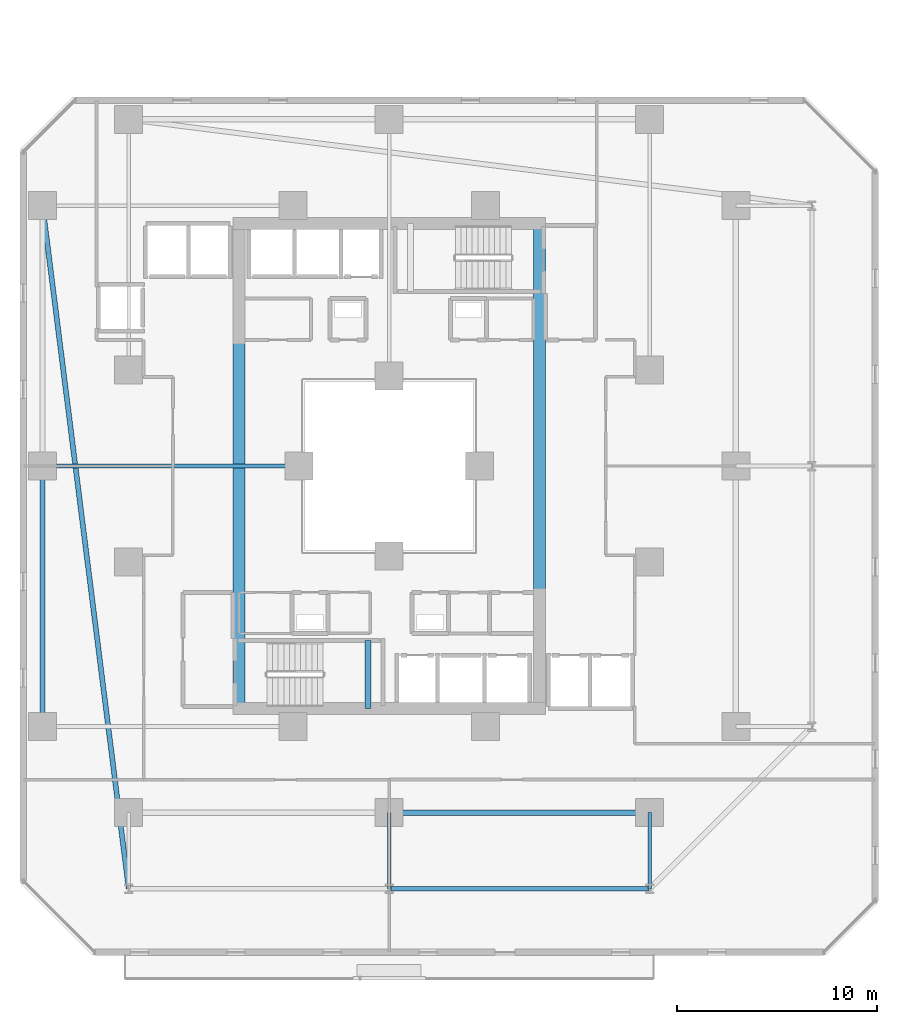
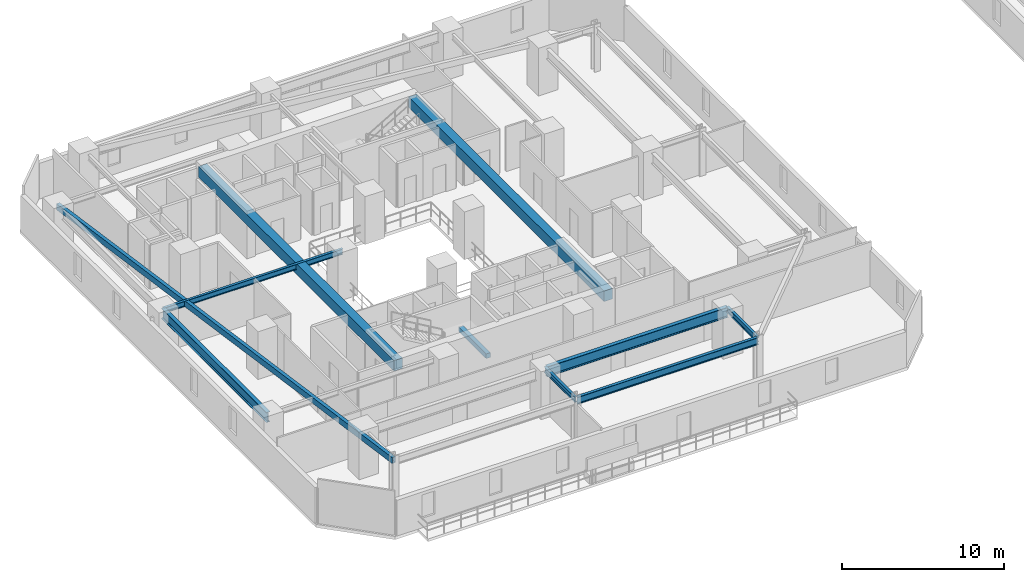
# One storey, part 4 of 34: 10 beams.
"""IFC4 building model written with IfcOpenShell, lengths in metres."""

from ifc_helpers import new_model, si_unit, direction, frame, origin, origin_2d, place, context, subcontext, project, spatial, rectangle, hollow_rectangle, i_section, extrude, material, material_profile, profile_set, type_object, element, save


model = new_model("IFC4")

# Units and contexts
model_context = context("Model", 3, precision=1e-05, world=origin(), true_north=direction((0.0, 1.0)))
body_context = subcontext(model_context, "Body", "Model", "MODEL_VIEW")
ifc_project = project(units=[si_unit("LENGTHUNIT", "METRE"), si_unit("AREAUNIT", "SQUARE_METRE"), si_unit("VOLUMEUNIT", "CUBIC_METRE"), si_unit("PLANEANGLEUNIT", "RADIAN"), si_unit("MASSUNIT", "GRAM", prefix="KILO")], contexts=[model_context])

# Site, building, storey
site_placement = place(None, origin())
site = spatial("IfcSite", under=ifc_project, at=site_placement, CompositionType="ELEMENT")
building_placement = place(site_placement, origin())
building = spatial("IfcBuilding", under=site, at=building_placement, Name="Thornwick Lancets Civic Towers", CompositionType="ELEMENT")
storey_placement = place(building_placement, frame((0.0, 0.0, 57.300048828125)))
storey = spatial("IfcBuildingStorey", under=building, at=storey_placement, Name="L14", CompositionType="ELEMENT", Elevation=57.300048828125)

# Beams
ifc_material_1 = material(Name="Concrete C60/75", Category="concrete")
ifc_material_profile_1 = material_profile(ifc_material_1, rectangle(XDim=0.60009765625, YDim=0.800048828125, at=origin_2d()), Name="RC 600x800")
ifc_profile_set_1 = profile_set([ifc_material_profile_1], Name="Concrete C60/75")
beam_type_1 = type_object("IfcBeamType", Name="BM_COUP_RC800", PredefinedType="BEAM", material=ifc_profile_set_1)
for number, where, z_axis, x_axis, name in (
    (1, (33.0, 14.89990234375, 2.9599609375), (0.0, 1.0, 0.0), (-1.0, 0.0, 0.0), "CB-L14-A1"),
    (2, (18.0, 14.89990234375, 2.9599609375), (0.0, 1.0, 0.0), (-1.0, 0.0, 0.0), "CB-L14-A2"),
):
    element("IfcBeam", number, at=place(storey_placement, frame(where, z_axis=z_axis, x_axis=x_axis)), inside=storey, type_object=beam_type_1, Name=name, PredefinedType="BEAM", context=body_context, shape_type="SweptSolid", body=[
        extrude(rectangle(XDim=0.60009765625, YDim=0.800048828125, at=origin_2d()), origin(), (0.0, 0.0, 1.0), 24.2001953125),
    ])
ifc_material_2 = material(Name="Steel S355JR", Category="steel")
ifc_material_profile_2 = material_profile(ifc_material_2, i_section(OverallWidth=0.2119140625, OverallDepth=0.54443359375, WebThickness=0.0126953125, FlangeThickness=0.021240234375, FilletRadius=0.0126953125, at=origin_2d()), Name="UKB 533x210x122")
ifc_profile_set_2 = profile_set([ifc_material_profile_2], Name="Steel S355JR")
beam_type_2 = type_object("IfcBeamType", Name="BM_EDGE_533_122", PredefinedType="SPANDREL", material=ifc_profile_set_2)
beam_1_placement = place(storey_placement, frame((25.580078125, 5.89990234375, 3.087646484375), z_axis=(1.0, 0.0, 0.0), x_axis=(0.0, 1.0, 0.0)))
element("IfcBeam", 3, at=beam_1_placement, inside=storey, type_object=beam_type_2, Name="BM-EDGE-L14-A-S0-2", PredefinedType="SPANDREL", context=body_context, shape_type="SweptSolid", body=[
    extrude(i_section(OverallWidth=0.2119140625, OverallDepth=0.54443359375, WebThickness=0.0126953125, FlangeThickness=0.021240234375, FilletRadius=0.0126953125, at=origin_2d()), origin(), (0.0, 0.0, 1.0), 12.919921875),
])
ifc_material_profile_3 = material_profile(ifc_material_2, i_section(OverallWidth=0.26806640625, OverallDepth=0.769775390625, WebThickness=0.015625, FlangeThickness=0.025390625, FilletRadius=0.0166015625, at=origin_2d()), Name="UKB 762x267x197")
ifc_profile_set_3 = profile_set([ifc_material_profile_3], Name="Steel S355JR")
beam_type_3 = type_object("IfcBeamType", Name="BM_GIRD_762_197", PredefinedType="BEAM", material=ifc_profile_set_3)
beam_2_placement = place(storey_placement, frame((25.580078125, 9.699951171875, 2.97509765625), z_axis=(1.0, 0.0, 0.0), x_axis=(0.0, 1.0, 0.0)))
element("IfcBeam", 4, at=beam_2_placement, inside=storey, type_object=beam_type_3, Name="BM-SPINE-L14-A-1-2", PredefinedType="BEAM", context=body_context, shape_type="SweptSolid", body=[
    extrude(i_section(OverallWidth=0.26806640625, OverallDepth=0.769775390625, WebThickness=0.015625, FlangeThickness=0.025390625, FilletRadius=0.0166015625, at=origin_2d()), origin(), (0.0, 0.0, 1.0), 12.919921875),
])
beam_3_placement = place(storey_placement, frame((8.199951171875, 14.0, 2.97509765625), z_axis=(0.0, 1.0, 0.0), x_axis=(-1.0, 0.0, 0.0)))
element("IfcBeam", 5, at=beam_3_placement, inside=storey, type_object=beam_type_3, Name="BM-SPINE-L14-A-9-10", PredefinedType="BEAM", context=body_context, shape_type="SweptSolid", body=[
    extrude(i_section(OverallWidth=0.26806640625, OverallDepth=0.769775390625, WebThickness=0.015625, FlangeThickness=0.025390625, FilletRadius=0.0166015625, at=origin_2d()), origin(), (0.0, 0.0, 1.0), 13.0),
])
ifc_material_profile_4 = material_profile(ifc_material_2, i_section(OverallWidth=0.179443359375, OverallDepth=0.412841796875, WebThickness=0.009521484375, FlangeThickness=0.01611328125, FilletRadius=0.01025390625, at=origin_2d()), Name="UKB 406x178x74")
ifc_profile_set_4 = profile_set([ifc_material_profile_4], Name="Steel S355JR")
beam_type_4 = type_object("IfcBeamType", Name="BM_JOIST_406_74", PredefinedType="JOIST", material=ifc_profile_set_4)
for number, where, z_axis, x_axis, name in (
    (6, (25.5, 9.699951171875, 3.153564453125), (0.0, -1.0, 0.0), (1.0, 0.0, 0.0), "BM-RAD-L14-A02"),
    (7, (38.5, 9.699951171875, 3.153564453125), (0.0, -1.0, 0.0), (1.0, 0.0, 0.0), "BM-RAD-L14-A03"),
):
    element("IfcBeam", number, at=place(storey_placement, frame(where, z_axis=z_axis, x_axis=x_axis)), inside=storey, type_object=beam_type_4, Name=name, PredefinedType="JOIST", context=body_context, shape_type="SweptSolid", body=[
        extrude(i_section(OverallWidth=0.179443359375, OverallDepth=0.412841796875, WebThickness=0.009521484375, FlangeThickness=0.01611328125, FilletRadius=0.01025390625, at=origin_2d()), origin(), (0.0, 0.0, 1.0), 3.800048828125),
    ])
beam_4_placement = place(storey_placement, frame((21.0, 27.0, 3.153564453125), z_axis=(-1.0, 0.0, 0.0), x_axis=(0.0, -1.0, 0.0)))
element("IfcBeam", 8, at=beam_4_placement, inside=storey, type_object=beam_type_4, Name="BM-RADIN-L14-A11", PredefinedType="JOIST", context=body_context, shape_type="SweptSolid", body=[
    extrude(i_section(OverallWidth=0.179443359375, OverallDepth=0.412841796875, WebThickness=0.009521484375, FlangeThickness=0.01611328125, FilletRadius=0.01025390625, at=origin_2d()), origin(), (0.0, 0.0, 1.0), 12.800048828125),
])
ifc_material_profile_5 = material_profile(ifc_material_2, hollow_rectangle(XDim=0.25, YDim=0.449951171875, WallThickness=0.01611328125, at=origin_2d()), Name="RHS 450x250x16")
ifc_profile_set_5 = profile_set([ifc_material_profile_5], Name="Steel S355JR")
beam_type_5 = type_object("IfcBeamType", Name="BM_RING_RHS450", PredefinedType="BEAM", material=ifc_profile_set_5)
beam_5_placement = place(storey_placement, frame((8.199951171875, 40.0, 3.135009765625), z_axis=(0.12510998836, -0.992142878225, 0.0), x_axis=(0.992142878225, 0.12510998836, 0.0)))
element("IfcBeam", 9, at=beam_5_placement, inside=storey, type_object=beam_type_5, Name="BM-CHAMF-L14-A-C3", PredefinedType="BEAM", context=body_context, shape_type="SweptSolid", body=[
    extrude(hollow_rectangle(XDim=0.25, YDim=0.449951171875, WallThickness=0.01611328125, at=origin_2d()), origin(), (0.0, 0.0, 1.0), 34.3701171875),
])
ifc_material_3 = material(Name="Concrete C40/50", Category="concrete")
ifc_material_profile_6 = material_profile(ifc_material_3, rectangle(XDim=0.300048828125, YDim=0.35009765625, at=origin_2d()), Name="RC 300x350")
ifc_profile_set_6 = profile_set([ifc_material_profile_6], Name="Concrete C40/50")
beam_type_6 = type_object("IfcBeamType", Name="BM_STAIR_LDG", PredefinedType="BEAM", material=ifc_profile_set_6)
beam_6_placement = place(storey_placement, frame((24.43505859375, 14.89990234375, 1.3779296875), z_axis=(0.0, 1.0, 0.0), x_axis=(-1.0, 0.0, 0.0)))
element("IfcBeam", 10, at=beam_6_placement, inside=storey, type_object=beam_type_6, Name="L14 ST-A1 Landing Support Beam 1", PredefinedType="BEAM", context=body_context, shape_type="SweptSolid", body=[
    extrude(rectangle(XDim=0.300048828125, YDim=0.35009765625, at=origin_2d()), origin(), (0.0, 0.0, 1.0), 3.400146484375),
])

save(model, "model.ifc")
